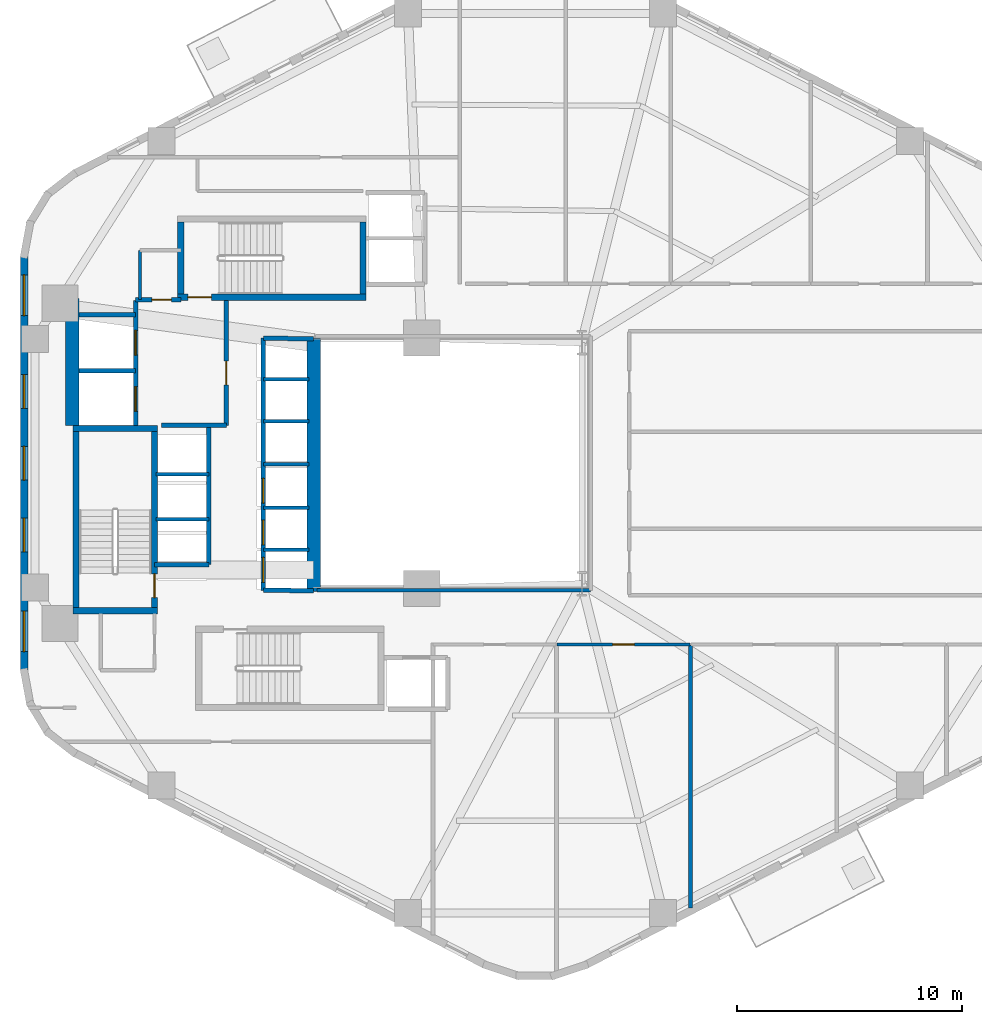
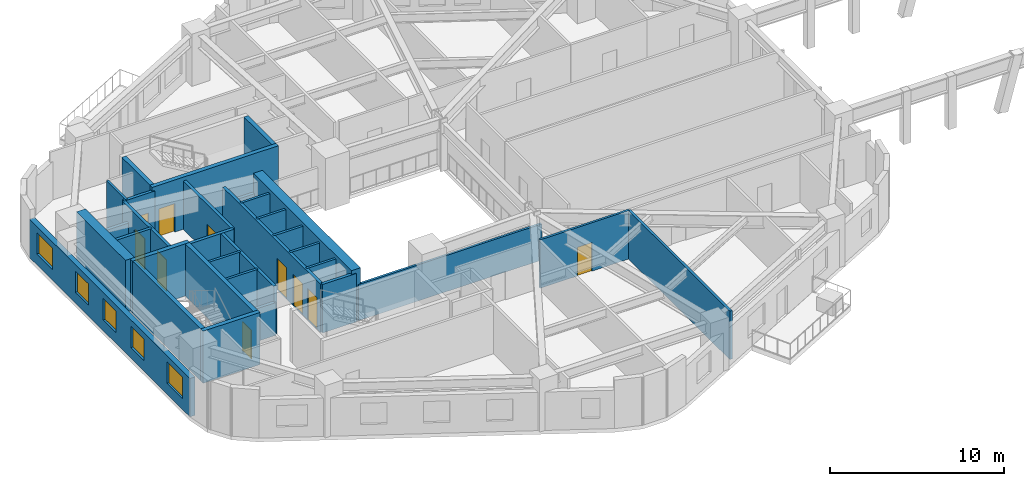
# One storey, part 3 of 8: 32 walls, 10 doors, 5 windows, 15 openings.
"""IFC4 building model written with IfcOpenShell, lengths in metres."""

import ifcopenshell
import ifcopenshell.guid

model = None  # the IFC model being written
_history = None  # IfcOwnerHistory: only IFC2X3 demands one
_inside = {}  # id of a spatial element -> (the spatial element, [elements in it])
_under = {}  # id of a project, library or spatial element -> (it, [spatial elements below it])
_declared = {}  # id of a project -> (the project, [libraries it declares])
_typed = {}  # id of a type object -> (the type object, [elements of that type])
_made_of = {}  # id of a material, layer set ... -> (it, [elements and type objects made of it])


def new_model(schema):
    """Start an empty IFC model of exactly this schema.

    Asked for "IFC4X3", IfcOpenShell would pick the latest addendum, in which some entities
    have other attributes; the version numbers below select the first issue.
    IFC2X3 requires an IfcOwnerHistory on every rooted entity: one is made here for all.
    """
    global model, _history
    if schema == "IFC4X3":
        model = ifcopenshell.file(schema_version=(4, 3, 0, 0))
    else:
        model = ifcopenshell.file(schema=schema)
    _inside.clear()
    _under.clear()
    _declared.clear()
    _typed.clear()
    _made_of.clear()
    _history = None
    if model.schema == "IFC2X3":
        org = make("IfcOrganization", Name="unknown")
        user = make(
            "IfcPersonAndOrganization",
            ThePerson=make("IfcPerson", FamilyName="unknown"),
            TheOrganization=org,
        )
        app = make(
            "IfcApplication",
            ApplicationDeveloper=org,
            Version="unknown",
            ApplicationFullName="unknown",
            ApplicationIdentifier="unknown",
        )
        _history = make(
            "IfcOwnerHistory",
            OwningUser=user,
            OwningApplication=app,
            ChangeAction="ADDED",
            CreationDate=0,
        )
    return model


def make(cls, **values):
    """One entity of the class cls with the attributes given. An attribute that is None is left unset."""
    return model.create_entity(
        cls, **{name: value for name, value in values.items() if value is not None}
    )


def rooted(cls, **values):
    """An entity with a GlobalId (a new one), such as an element, a storey or a relation."""
    return make(cls, GlobalId=ifcopenshell.guid.new(), OwnerHistory=_history, **values)


def si_unit(unit_type, name, prefix=None):
    """IfcSIUnit, for example si_unit("LENGTHUNIT", "METRE", prefix="MILLI")."""
    return make("IfcSIUnit", UnitType=unit_type, Prefix=prefix, Name=name)


def assignment(units):
    """IfcUnitAssignment: the units of a project."""
    return None if units is None else make("IfcUnitAssignment", Units=units)


def point(xyz):
    """IfcCartesianPoint."""
    return None if xyz is None else make("IfcCartesianPoint", Coordinates=xyz)


def direction(xyz):
    """IfcDirection."""
    return None if xyz is None else make("IfcDirection", DirectionRatios=xyz)


def frame(location, z_axis=None, x_axis=None):
    """IfcAxis2Placement3D, a coordinate frame: its origin and axes. An axis left out is left unset."""
    return make(
        "IfcAxis2Placement3D",
        Location=point(location),
        Axis=direction(z_axis),
        RefDirection=direction(x_axis),
    )


def frame_2d(location, x_axis=None):
    """IfcAxis2Placement2D, a coordinate frame in the plane: its origin and x axis."""
    return make(
        "IfcAxis2Placement2D", Location=point(location), RefDirection=direction(x_axis)
    )


def origin():
    """The frame at (0, 0, 0) with its axes left unset."""
    return frame((0.0, 0.0, 0.0))


def place(relative_to, where):
    """IfcLocalPlacement: puts the frame where relative to a parent placement (None: the world)."""
    return make(
        "IfcLocalPlacement", PlacementRelTo=relative_to, RelativePlacement=where
    )


def context(
    kind, dimensions, precision=None, world=None, true_north=None, identifier=None
):
    """IfcGeometricRepresentationContext, for example the 3D "Model" context."""
    return make(
        "IfcGeometricRepresentationContext",
        ContextIdentifier=identifier,
        ContextType=kind,
        CoordinateSpaceDimension=dimensions,
        Precision=precision,
        WorldCoordinateSystem=world,
        TrueNorth=true_north,
    )


def subcontext(parent, identifier, kind, view, scale=None):
    """IfcGeometricRepresentationSubContext, for example "Body" below "Model"."""
    return make(
        "IfcGeometricRepresentationSubContext",
        ContextIdentifier=identifier,
        ContextType=kind,
        ParentContext=parent,
        TargetScale=scale,
        TargetView=view,
    )


def project(units=None, contexts=None):
    """IfcProject with its units and contexts."""
    return rooted(
        "IfcProject",
        Name="project",
        RepresentationContexts=contexts,
        UnitsInContext=assignment(units),
    )


def spatial(cls, under=None, at=None, **own):
    """A site, building, storey or space (cls), placed at a placement, below another one or the project."""
    s = rooted(cls, ObjectPlacement=at, **own)
    if under is not None:
        _under.setdefault(under.id(), (under, []))[1].append(s)
    return s


def profile(cls, at=None, kind="AREA", **sizes):
    """A parametric profile (cls). Its sizes go by their IFC names, for example OverallWidth=200.0."""
    return make(cls, ProfileType=kind, Position=at, **sizes)


def rectangle(**sizes):
    """IfcRectangleProfileDef."""
    return profile("IfcRectangleProfileDef", **sizes)


def extrude(swept, where, along, depth):
    """IfcExtrudedAreaSolid: the profile swept, set in the frame where, extruded along a direction by depth."""
    return make(
        "IfcExtrudedAreaSolid",
        SweptArea=swept,
        Position=where,
        ExtrudedDirection=direction(along),
        Depth=depth,
    )


def shape(context_of_items, identifier, shape_type, items):
    """IfcShapeRepresentation: the items that make up one representation, for example the "Body"."""
    return make(
        "IfcShapeRepresentation",
        ContextOfItems=context_of_items,
        RepresentationIdentifier=identifier,
        RepresentationType=shape_type,
        Items=items,
    )


def material(Name=None, Category=None):
    """IfcMaterial."""
    return make("IfcMaterial", Name=Name, Category=Category)


def layer(
    of_material, thickness, ventilated=None, Name=None, Category=None, Priority=None
):
    """IfcMaterialLayer: one layer of a wall or slab, of a material (None: an air gap)."""
    return make(
        "IfcMaterialLayer",
        Material=of_material,
        LayerThickness=thickness,
        IsVentilated=ventilated,
        Name=Name,
        Category=Category,
        Priority=Priority,
    )


def layer_set(layers, Name=None):
    """IfcMaterialLayerSet."""
    return make("IfcMaterialLayerSet", MaterialLayers=layers, LayerSetName=Name)


def made_of(thing, what):
    """Note that an element or type object is made of a material, layer set ...; save() writes the relation."""
    if what is not None:
        _made_of.setdefault(what.id(), (what, []))[1].append(thing)
    return thing


def type_object(cls, material=None, **own):
    """A type object (cls), such as IfcWallType, which elements share."""
    return made_of(rooted(cls, **own), material)


def element(
    cls,
    number,
    at=None,
    inside=None,
    cuts=None,
    type_object=None,
    material=None,
    context=None,
    identifier="Body",
    shape_type=None,
    held_by="IfcProductDefinitionShape",
    body=None,
    shapes=None,
    **own,
):
    """One element of the class cls, such as IfcWall. Its Tag is "e" and its number.

    at: its placement. inside: the storey or other place that contains it. cuts: it is an
    opening in that element (IfcRelVoidsElement). A single representation is given by context,
    identifier, shape_type and body (its items); several are given by shapes. held_by: the class
    of the entity that holds the representations. save() writes the other relations.
    """
    e = rooted(cls, Tag="e%d" % number, ObjectPlacement=at, **own)
    if body is not None:
        shapes = [shape(context, identifier, shape_type, body)]
    if shapes is not None:
        e.Representation = make(held_by, Representations=shapes)
    if inside is not None:
        _inside.setdefault(inside.id(), (inside, []))[1].append(e)
    if cuts is not None:
        rooted(
            "IfcRelVoidsElement", RelatingBuildingElement=cuts, RelatedOpeningElement=e
        )
    if type_object is not None:
        _typed.setdefault(type_object.id(), (type_object, []))[1].append(e)
    return made_of(e, material)


def fill(opening, filler):
    """IfcRelFillsElement: the door or window that sits in an opening."""
    return rooted(
        "IfcRelFillsElement",
        RelatingOpeningElement=opening,
        RelatedBuildingElement=filler,
    )


def aggregate(whole, parts):
    """IfcRelAggregates: a whole, such as a stair, and the parts it consists of."""
    return rooted("IfcRelAggregates", RelatingObject=whole, RelatedObjects=parts)


def save(model, path):
    """Write the relations noted so far, then the file.

    IfcRelAggregates (storeys below a building ...), IfcRelContainedInSpatialStructure (elements
    in a storey), IfcRelDefinesByType, IfcRelAssociatesMaterial and IfcRelDeclares: one each for
    every whole, place, type object, material and project.
    """
    for whole, parts in _under.values():
        aggregate(whole, parts)
    for where, things in _inside.values():
        rooted(
            "IfcRelContainedInSpatialStructure",
            RelatedElements=things,
            RelatingStructure=where,
        )
    for kind, things in _typed.values():
        rooted("IfcRelDefinesByType", RelatedObjects=things, RelatingType=kind)
    for what, things in _made_of.values():
        rooted("IfcRelAssociatesMaterial", RelatedObjects=things, RelatingMaterial=what)
    for by, libraries in _declared.values():
        rooted("IfcRelDeclares", RelatingContext=by, RelatedDefinitions=libraries)
    model.write(path)


model = new_model("IFC4")

# Units and contexts
model_context = context("Model", 3, precision=1e-05, world=origin(), true_north=direction((0.0, 1.0)))
body_context = subcontext(model_context, "Body", "Model", "MODEL_VIEW")
ifc_project = project(units=[si_unit("LENGTHUNIT", "METRE"), si_unit("AREAUNIT", "SQUARE_METRE"), si_unit("VOLUMEUNIT", "CUBIC_METRE"), si_unit("PLANEANGLEUNIT", "RADIAN"), si_unit("MASSUNIT", "GRAM", prefix="KILO"), si_unit("THERMODYNAMICTEMPERATUREUNIT", "KELVIN"), si_unit("POWERUNIT", "WATT")], contexts=[model_context])

# Site, building, storey
site_placement = place(None, origin())
site = spatial("IfcSite", under=ifc_project, at=site_placement, CompositionType="ELEMENT")
building_placement = place(site_placement, origin())
building = spatial("IfcBuilding", under=site, at=building_placement, Name="Skarre Station Tower", CompositionType="ELEMENT")
storey_placement = place(building_placement, frame((0.0, 0.0, 45.25)))
storey = spatial("IfcBuildingStorey", under=building, at=storey_placement, Name="L11", CompositionType="ELEMENT", Elevation=45.25)

# Walls
ifc_material_1 = material(Name="Acoustic Steel-Stud Gypsum Partition", Category="steel")
ifc_layer_1 = layer(ifc_material_1, 0.14990234375, Name="Acoustic Steel-Stud Gypsum Partition")
ifc_layer_set_1 = layer_set([ifc_layer_1], Name="Acoustic Steel-Stud Gypsum Partition")
wall_type_1 = type_object("IfcWallType", Name="Fire-Rated Corridor Acoustic Partition 150", PredefinedType="PARTITIONING", material=ifc_layer_set_1)
wall_1_placement = place(storey_placement, frame((19.85009765625, 33.449951171875, 0.0), z_axis=(0.0, 0.0, 1.0), x_axis=(0.0, -1.0, 0.0)))
element("IfcWall", 1, at=wall_1_placement, inside=storey, type_object=wall_type_1, Name="L11 Interior Partition WL-PT-L11-CNW-W", PredefinedType="PARTITIONING", context=body_context, shape_type="SweptSolid", body=[
    extrude(rectangle(XDim=2.18994140625, YDim=0.14990234375, at=frame_2d((1.094970703125, 0.0))), origin(), (0.0, 0.0, 1.0), 3.389892578125),
])
wall_2_placement = place(storey_placement, frame((27.699951171875, 18.360107421875, 0.0), z_axis=(0.0, 0.0, 1.0), x_axis=(1.0, 0.0, 0.0)))
element("IfcWall", 2, at=wall_2_placement, inside=storey, type_object=wall_type_1, Name="L11 Interior Partition WL-PT-L11-ATRW-S", PredefinedType="PARTITIONING", context=body_context, shape_type="SweptSolid", body=[
    extrude(rectangle(XDim=12.14013671875, YDim=0.14990234375, at=frame_2d((6.070068359375, 0.0))), origin(), (0.0, 0.0, 1.0), 2.531005859375),
])

# Wall, opening, door
wall_3_placement = place(storey_placement, frame((38.346923828125, 15.9599609375, 0.0), z_axis=(0.0, 0.0, 1.0), x_axis=(1.0, 0.0, 0.0)))
wall_3 = element("IfcWall", 3, at=wall_3_placement, inside=storey, type_object=wall_type_1, Name="L11 Interior Partition WL-PT-L11-SW2-CW", PredefinedType="PARTITIONING", context=body_context, shape_type="SweptSolid", body=[
    extrude(rectangle(XDim=5.9130859375, YDim=0.14990234375, at=frame_2d((2.95654296875, 0.0))), origin(), (0.0, 0.0, 1.0), 3.389892578125),
])
opening_1_placement = place(wall_3_placement, frame((2.47705078125, 0.0, 0.0)))
opening_1 = element("IfcOpeningElement", 4, at=opening_1_placement, cuts=wall_3, Name="Opening DR-FD60", PredefinedType="OPENING", context=body_context, shape_type="SweptSolid", body=[
    extrude(rectangle(XDim=0.9599609375, YDim=2.0, at=frame_2d((0.47998046875, 1.0))), frame((0.0, 0.0849609375, 0.0), z_axis=(0.0, -1.0, 0.0), x_axis=(1.0, 0.0, 0.0)), (0.0, 0.0, 1.0), 0.169921875),
])
ifc_material_2 = material(Name="Nordic White-Oak Veneer Solid-Core Fire Leaf", Category="wood")
door_type_1 = type_object("IfcDoorType", Name="Corridor Suite Entry Fire Door FD60 960x2150", OperationType="SINGLE_SWING_LEFT", PredefinedType="DOOR", material=ifc_material_2)
door_1_placement = place(opening_1_placement, origin())
door_1 = element("IfcDoor", 5, at=door_1_placement, inside=storey, type_object=door_type_1, Name="L11 SW2 Entry Door", OperationType="SINGLE_SWING_LEFT", OverallHeight=2.0, OverallWidth=0.9599609375, PredefinedType="DOOR", context=body_context, shape_type="SweptSolid", body=[
    extrude(rectangle(XDim=0.9599609375, YDim=2.0, at=frame_2d((0.47998046875, 1.0))), frame((0.0, 0.02490234375, 0.0), z_axis=(0.0, -1.0, 0.0), x_axis=(1.0, 0.0, 0.0)), (0.0, 0.0, 1.0), 0.050048828125),
])
fill(opening_1, door_1)

# Wall, openings, windows
ifc_material_3 = material(Name="Precast concrete C45/55", Category="concrete")
ifc_layer_2 = layer(ifc_material_3, 0.340087890625, Name="Precast concrete C45/55")
ifc_layer_set_2 = layer_set([ifc_layer_2], Name="Precast concrete C45/55")
wall_type_2 = type_object("IfcWallType", Name="Nordic Honed Precast Facet Wall 340", PredefinedType="STANDARD", material=ifc_layer_set_2)
wall_4_placement = place(storey_placement, frame((14.70703125, 14.798095703125, 0.0), z_axis=(0.0, 0.0, 1.0), x_axis=(0.0, 1.0, 0.0)))
wall_4 = element("IfcWall", 6, at=wall_4_placement, inside=storey, type_object=wall_type_2, Name="L11 Facet 2 Nordic Precast Masonry Wall", PredefinedType="STANDARD", context=body_context, shape_type="SweptSolid", body=[
    extrude(rectangle(XDim=18.40380859375, YDim=0.340087890625, at=frame_2d((9.201904296875, 0.0))), origin(), (0.0, 0.0, 1.0), 2.68408203125),
])
opening_2_placement = place(wall_4_placement, frame((0.844970703125, 0.0, 0.75)))
opening_2 = element("IfcOpeningElement", 7, at=opening_2_placement, cuts=wall_4, Name="Opening WN-Z1A", PredefinedType="OPENING", context=body_context, shape_type="SweptSolid", body=[
    extrude(rectangle(XDim=1.800048828125, YDim=1.5, at=frame_2d((0.89990234375, 0.75))), frame((0.0, 0.179931640625, 0.0), z_axis=(0.0, -1.0, 0.0), x_axis=(1.0, 0.0, 0.0)), (0.0, 0.0, 1.0), 0.360107421875),
])
opening_3_placement = place(wall_4_placement, frame((5.264892578125, 0.0, 0.75)))
opening_3 = element("IfcOpeningElement", 8, at=opening_3_placement, cuts=wall_4, Name="Opening WN-Z1B", PredefinedType="OPENING", context=body_context, shape_type="SweptSolid", body=[
    extrude(rectangle(XDim=1.5, YDim=1.5, at=frame_2d((0.75, 0.75))), frame((0.0, 0.179931640625, 0.0), z_axis=(0.0, -1.0, 0.0), x_axis=(1.0, 0.0, 0.0)), (0.0, 0.0, 1.0), 0.360107421875),
])
opening_4_placement = place(wall_4_placement, frame((8.451904296875, 0.0, 0.75)))
opening_4 = element("IfcOpeningElement", 9, at=opening_4_placement, cuts=wall_4, Name="Opening WN-Z1B", PredefinedType="OPENING", context=body_context, shape_type="SweptSolid", body=[
    extrude(rectangle(XDim=1.5, YDim=1.5, at=frame_2d((0.75, 0.75))), frame((0.0, 0.179931640625, 0.0), z_axis=(0.0, -1.0, 0.0), x_axis=(1.0, 0.0, 0.0)), (0.0, 0.0, 1.0), 0.360107421875),
])
opening_5_placement = place(wall_4_placement, frame((11.638916015625, 0.0, 0.75)))
opening_5 = element("IfcOpeningElement", 10, at=opening_5_placement, cuts=wall_4, Name="Opening WN-Z1B", PredefinedType="OPENING", context=body_context, shape_type="SweptSolid", body=[
    extrude(rectangle(XDim=1.5, YDim=1.5, at=frame_2d((0.75, 0.75))), frame((0.0, 0.179931640625, 0.0), z_axis=(0.0, -1.0, 0.0), x_axis=(1.0, 0.0, 0.0)), (0.0, 0.0, 1.0), 0.360107421875),
])
opening_6_placement = place(wall_4_placement, frame((15.758056640625, 0.0, 0.75)))
opening_6 = element("IfcOpeningElement", 11, at=opening_6_placement, cuts=wall_4, Name="Opening WN-Z1A", PredefinedType="OPENING", context=body_context, shape_type="SweptSolid", body=[
    extrude(rectangle(XDim=1.800048828125, YDim=1.5, at=frame_2d((0.89990234375, 0.75))), frame((0.0, 0.179931640625, 0.0), z_axis=(0.0, -1.0, 0.0), x_axis=(1.0, 0.0, 0.0)), (0.0, 0.0, 1.0), 0.360107421875),
])
ifc_material_4 = material(Name="Low-Iron Triple Glazing with Bronze Anodized Frame", Category="glass")
window_type_1 = type_object("IfcWindowType", Name="Nordic Punched Triple-Glazed Window 1500x1500", PartitioningType="SINGLE_PANEL", PredefinedType="WINDOW", material=ifc_material_4)
window_1_placement = place(opening_3_placement, origin())
window_1 = element("IfcWindow", 12, at=window_1_placement, inside=storey, type_object=window_type_1, Name="L11 Facade Window WL-FAC-L11-F2-2", OverallHeight=1.5, OverallWidth=1.5, PartitioningType="SINGLE_PANEL", PredefinedType="WINDOW", context=body_context, shape_type="SweptSolid", body=[
    extrude(rectangle(XDim=1.5, YDim=1.5, at=frame_2d((0.75, 0.75))), frame((0.0, 0.030029296875, 0.0), z_axis=(0.0, -1.0, 0.0), x_axis=(1.0, 0.0, 0.0)), (0.0, 0.0, 1.0), 0.06005859375),
])
fill(opening_3, window_1)
window_2_placement = place(opening_4_placement, origin())
window_2 = element("IfcWindow", 13, at=window_2_placement, inside=storey, type_object=window_type_1, Name="L11 Facade Window WL-FAC-L11-F2-3", OverallHeight=1.5, OverallWidth=1.5, PartitioningType="SINGLE_PANEL", PredefinedType="WINDOW", context=body_context, shape_type="SweptSolid", body=[
    extrude(rectangle(XDim=1.5, YDim=1.5, at=frame_2d((0.75, 0.75))), frame((0.0, 0.030029296875, 0.0), z_axis=(0.0, -1.0, 0.0), x_axis=(1.0, 0.0, 0.0)), (0.0, 0.0, 1.0), 0.06005859375),
])
fill(opening_4, window_2)
window_3_placement = place(opening_5_placement, origin())
window_3 = element("IfcWindow", 14, at=window_3_placement, inside=storey, type_object=window_type_1, Name="L11 Facade Window WL-FAC-L11-F2-4", OverallHeight=1.5, OverallWidth=1.5, PartitioningType="SINGLE_PANEL", PredefinedType="WINDOW", context=body_context, shape_type="SweptSolid", body=[
    extrude(rectangle(XDim=1.5, YDim=1.5, at=frame_2d((0.75, 0.75))), frame((0.0, 0.030029296875, 0.0), z_axis=(0.0, -1.0, 0.0), x_axis=(1.0, 0.0, 0.0)), (0.0, 0.0, 1.0), 0.06005859375),
])
fill(opening_5, window_3)
window_type_2 = type_object("IfcWindowType", Name="Nordic Punched Triple-Glazed Window 1800x1500", PartitioningType="SINGLE_PANEL", PredefinedType="WINDOW", material=ifc_material_4)
window_4_placement = place(opening_2_placement, origin())
window_4 = element("IfcWindow", 15, at=window_4_placement, inside=storey, type_object=window_type_2, Name="L11 Facade Window WL-FAC-L11-F2-1", OverallHeight=1.5, OverallWidth=1.800048828125, PartitioningType="SINGLE_PANEL", PredefinedType="WINDOW", context=body_context, shape_type="SweptSolid", body=[
    extrude(rectangle(XDim=1.800048828125, YDim=1.5, at=frame_2d((0.89990234375, 0.75))), frame((0.0, 0.030029296875, 0.0), z_axis=(0.0, -1.0, 0.0), x_axis=(1.0, 0.0, 0.0)), (0.0, 0.0, 1.0), 0.06005859375),
])
fill(opening_2, window_4)
window_5_placement = place(opening_6_placement, origin())
window_5 = element("IfcWindow", 16, at=window_5_placement, inside=storey, type_object=window_type_2, Name="L11 Facade Window WL-FAC-L11-F2-5", OverallHeight=1.5, OverallWidth=1.800048828125, PartitioningType="SINGLE_PANEL", PredefinedType="WINDOW", context=body_context, shape_type="SweptSolid", body=[
    extrude(rectangle(XDim=1.800048828125, YDim=1.5, at=frame_2d((0.89990234375, 0.75))), frame((0.0, 0.030029296875, 0.0), z_axis=(0.0, -1.0, 0.0), x_axis=(1.0, 0.0, 0.0)), (0.0, 0.0, 1.0), 0.06005859375),
])
fill(opening_6, window_5)

# Walls
ifc_material_5 = material(Name="Concrete C50/60", Category="concrete")
ifc_layer_3 = layer(ifc_material_5, 0.280029296875, Name="Concrete C50/60")
ifc_layer_set_3 = layer_set([ifc_layer_3], Name="Concrete C50/60")
wall_type_3 = type_object("IfcWallType", Name="RC Core Shear Wall 280", PredefinedType="SHEAR", material=ifc_layer_set_3)
for number, where, z_axis, x_axis, name in (
    (17, (16.8701171875, 17.4599609375, 0.0), (0.0, 0.0, 1.0), (1.0, 0.0, 0.0), "L11 Stair ST-1 South Shear Wall"),
    (18, (20.6298828125, 25.5400390625, 0.0), (0.0, 0.0, 1.0), (-1.0, 0.0, 0.0), "L11 Stair ST-1 North Shear Wall"),
):
    element("IfcWall", number, at=place(storey_placement, frame(where, z_axis=z_axis, x_axis=x_axis)), inside=storey, type_object=wall_type_3, Name=name, PredefinedType="SHEAR", context=body_context, shape_type="SweptSolid", body=[
        extrude(rectangle(XDim=3.759765625, YDim=0.280029296875, at=frame_2d((1.8798828125, 0.0))), origin(), (0.0, 0.0, 1.0), 3.64990234375),
    ])
wall_5_placement = place(storey_placement, frame((17.010009765625, 25.39990234375, 0.0), z_axis=(0.0, 0.0, 1.0), x_axis=(0.0, -1.0, 0.0)))
element("IfcWall", 19, at=wall_5_placement, inside=storey, type_object=wall_type_3, Name="L11 Stair ST-1 West Shear Wall", PredefinedType="SHEAR", context=body_context, shape_type="SweptSolid", body=[
    extrude(rectangle(XDim=7.7998046875, YDim=0.280029296875, at=frame_2d((3.89990234375, 0.0))), origin(), (0.0, 0.0, 1.0), 3.64990234375),
])

# Wall, opening, door
wall_6_placement = place(storey_placement, frame((20.489990234375, 17.60009765625, 0.0), z_axis=(0.0, 0.0, 1.0), x_axis=(0.0, 1.0, 0.0)))
wall_6 = element("IfcWall", 20, at=wall_6_placement, inside=storey, type_object=wall_type_3, Name="L11 Stair ST-1 East Shear Wall", PredefinedType="SHEAR", context=body_context, shape_type="SweptSolid", body=[
    extrude(rectangle(XDim=7.7998046875, YDim=0.280029296875, at=frame_2d((3.89990234375, 0.0))), origin(), (0.0, 0.0, 1.0), 3.64990234375),
])
opening_7_placement = place(wall_6_placement, frame((0.43994140625, 0.0, 0.0)))
opening_7 = element("IfcOpeningElement", 21, at=opening_7_placement, cuts=wall_6, Name="Opening DR-FD90", PredefinedType="OPENING", context=body_context, shape_type="SweptSolid", body=[
    extrude(rectangle(XDim=1.050048828125, YDim=2.0, at=frame_2d((0.52490234375, 1.0))), frame((0.0, 0.14990234375, 0.0), z_axis=(0.0, -1.0, 0.0), x_axis=(1.0, 0.0, 0.0)), (0.0, 0.0, 1.0), 0.300048828125),
])
ifc_material_6 = material(Name="Fire-Rated Insulated Steel Frame & Timber Core Leaf", Category="steel")
door_type_2 = type_object("IfcDoorType", Name="Stair & FSAE Lobby Fire Door FD90 1050x2150", OperationType="SINGLE_SWING_RIGHT", PredefinedType="DOOR", material=ifc_material_6)
door_2_placement = place(opening_7_placement, origin())
door_2 = element("IfcDoor", 22, at=door_2_placement, inside=storey, type_object=door_type_2, Name="L11 Stair ST-1 Exit Door", OperationType="SINGLE_SWING_RIGHT", OverallHeight=2.0, OverallWidth=1.050048828125, PredefinedType="DOOR", context=body_context, shape_type="SweptSolid", body=[
    extrude(rectangle(XDim=1.050048828125, YDim=2.0, at=frame_2d((0.52490234375, 1.0))), frame((0.0, 0.02490234375, 0.0), z_axis=(0.0, -1.0, 0.0), x_axis=(1.0, 0.0, 0.0)), (0.0, 0.0, 1.0), 0.050048828125),
])
fill(opening_7, door_2)

wall_7_placement = place(storey_placement, frame((21.52001953125, 31.360107421875, 0.0), z_axis=(0.0, 0.0, 1.0), x_axis=(1.0, 0.0, 0.0)))
wall_7 = element("IfcWall", 23, at=wall_7_placement, inside=storey, type_object=wall_type_3, Name="L11 Stair ST-3 South Shear Wall", PredefinedType="SHEAR", context=body_context, shape_type="SweptSolid", body=[
    extrude(rectangle(XDim=8.35986328125, YDim=0.280029296875, at=frame_2d((4.179931640625, 0.0))), origin(), (0.0, 0.0, 1.0), 3.64990234375),
])
opening_8_placement = place(wall_7_placement, frame((0.449951171875, 0.0, 0.0)))
opening_8 = element("IfcOpeningElement", 24, at=opening_8_placement, cuts=wall_7, Name="Opening DR-FD90", PredefinedType="OPENING", context=body_context, shape_type="SweptSolid", body=[
    extrude(rectangle(XDim=1.050048828125, YDim=2.0, at=frame_2d((0.52490234375, 1.0))), frame((0.0, 0.14990234375, 0.0), z_axis=(0.0, -1.0, 0.0), x_axis=(1.0, 0.0, 0.0)), (0.0, 0.0, 1.0), 0.300048828125),
])
door_3_placement = place(opening_8_placement, origin())
door_3 = element("IfcDoor", 25, at=door_3_placement, inside=storey, type_object=door_type_2, Name="L11 Stair ST-3 & FSAE Lobby Direct Exit Door", OperationType="SINGLE_SWING_LEFT", OverallHeight=2.0, OverallWidth=1.050048828125, PredefinedType="DOOR", context=body_context, shape_type="SweptSolid", body=[
    extrude(rectangle(XDim=1.050048828125, YDim=2.0, at=frame_2d((0.52490234375, 1.0))), frame((0.0, 0.02490234375, 0.0), z_axis=(0.0, -1.0, 0.0), x_axis=(1.0, 0.0, 0.0)), (0.0, 0.0, 1.0), 0.050048828125),
])
fill(opening_8, door_3)

# Walls
for number, where, z_axis, x_axis, name in (
    (26, (21.659912109375, 34.699951171875, 0.0), (0.0, 0.0, 1.0), (0.0, -1.0, 0.0), "L11 Stair ST-3 West Shear Wall"),
    (27, (29.739990234375, 31.5, 0.0), (0.0, 0.0, 1.0), (0.0, 1.0, 0.0), "L11 Stair ST-3 East Shear Wall"),
):
    element("IfcWall", number, at=place(storey_placement, frame(where, z_axis=z_axis, x_axis=x_axis)), inside=storey, type_object=wall_type_3, Name=name, PredefinedType="SHEAR", context=body_context, shape_type="SweptSolid", body=[
        extrude(rectangle(XDim=3.199951171875, YDim=0.280029296875, at=frame_2d((1.60009765625, 0.0))), origin(), (0.0, 0.0, 1.0), 3.64990234375),
    ])
ifc_material_7 = material(Name="Concrete C70/85", Category="concrete")
ifc_layer_4 = layer(ifc_material_7, 0.60009765625, Name="Concrete C70/85")
ifc_layer_set_4 = layer_set([ifc_layer_4], Name="Concrete C70/85")
wall_type_4 = type_object("IfcWallType", Name="RC Core Shear Wall 600", PredefinedType="SHEAR", material=ifc_layer_set_4)
wall_8_placement = place(storey_placement, frame((16.85009765625, 25.679931640625, 0.0), z_axis=(0.0, 0.0, 1.0), x_axis=(0.0, 1.0, 0.0)))
element("IfcWall", 28, at=wall_8_placement, inside=storey, type_object=wall_type_4, Name="L11 Core West-North Shear Wall", PredefinedType="SHEAR", context=body_context, shape_type="SweptSolid", body=[
    extrude(rectangle(XDim=5.6201171875, YDim=0.60009765625, at=frame_2d((2.81005859375, 0.0))), origin(), (0.0, 0.0, 1.0), 3.64990234375),
])
wall_9_placement = place(storey_placement, frame((27.550048828125, 29.550048828125, 0.0), z_axis=(0.0, 0.0, 1.0), x_axis=(0.0, -1.0, 0.0)))
element("IfcWall", 29, at=wall_9_placement, inside=storey, type_object=wall_type_4, Name="L11 Core East Atrium Shear Wall", PredefinedType="SHEAR", context=body_context, shape_type="SweptSolid", body=[
    extrude(rectangle(XDim=11.25, YDim=0.60009765625, at=frame_2d((5.625, 0.0))), origin(), (0.0, 0.0, 1.0), 3.64990234375),
])

# Wall, openings, doors
ifc_material_8 = material(Name="Gypsum Concrete Shaft Assembly C30/37", Category="concrete")
ifc_layer_5 = layer(ifc_material_8, 0.199951171875, Name="Gypsum Concrete Shaft Assembly C30/37")
ifc_layer_set_5 = layer_set([ifc_layer_5], Name="Gypsum Concrete Shaft Assembly C30/37")
wall_type_5 = type_object("IfcWallType", Name="Shaft & Core Fire Partition 200", PredefinedType="PARTITIONING", material=ifc_layer_set_5)
wall_10_placement = place(storey_placement, frame((19.64990234375, 25.679931640625, 0.0), z_axis=(0.0, 0.0, 1.0), x_axis=(0.0, 1.0, 0.0)))
wall_10 = element("IfcWall", 30, at=wall_10_placement, inside=storey, type_object=wall_type_5, Name="L11 Interior Partition WL-PT-L11-FSAE-W", PredefinedType="PARTITIONING", context=body_context, shape_type="SweptSolid", body=[
    extrude(rectangle(XDim=5.5400390625, YDim=0.199951171875, at=frame_2d((2.77001953125, 0.0))), origin(), (0.0, 0.0, 1.0), 3.389892578125),
])
opening_9_placement = place(wall_10_placement, frame((0.6201171875, 0.0, 0.0)))
opening_9 = element("IfcOpeningElement", 31, at=opening_9_placement, cuts=wall_10, Name="Opening LD-FF1", PredefinedType="OPENING", context=body_context, shape_type="SweptSolid", body=[
    extrude(rectangle(XDim=1.10009765625, YDim=2.199951171875, at=frame_2d((0.550048828125, 1.10009765625))), frame((0.0, 0.10986328125, 0.0), z_axis=(0.0, -1.0, 0.0), x_axis=(1.0, 0.0, 0.0)), (0.0, 0.0, 1.0), 0.219970703125),
])
opening_10_placement = place(wall_10_placement, frame((3.1201171875, 0.0, 0.0)))
opening_10 = element("IfcOpeningElement", 32, at=opening_10_placement, cuts=wall_10, Name="Opening LD-FF2", PredefinedType="OPENING", context=body_context, shape_type="SweptSolid", body=[
    extrude(rectangle(XDim=1.10009765625, YDim=2.199951171875, at=frame_2d((0.550048828125, 1.10009765625))), frame((0.0, 0.10986328125, 0.0), z_axis=(0.0, -1.0, 0.0), x_axis=(1.0, 0.0, 0.0)), (0.0, 0.0, 1.0), 0.219970703125),
])
ifc_material_9 = material(Name="Fire-Rated Stainless Steel Grade 316L Sliding Leaves", Category="steel")
door_type_3 = type_object("IfcDoorType", Name="Fire Service Access Elevator Sliding Landing Door 1100x2200", OperationType="SLIDING_TO_LEFT", PredefinedType="DOOR", material=ifc_material_9)
door_4_placement = place(opening_9_placement, origin())
door_4 = element("IfcDoor", 33, at=door_4_placement, inside=storey, type_object=door_type_3, Name="L11 Firefighting Lift LF-FF1 Landing Door", OperationType="SLIDING_TO_LEFT", OverallHeight=2.199951171875, OverallWidth=1.10009765625, PredefinedType="DOOR", context=body_context, shape_type="SweptSolid", body=[
    extrude(rectangle(XDim=1.10009765625, YDim=2.199951171875, at=frame_2d((0.550048828125, 1.10009765625))), frame((0.0, 0.02490234375, 0.0), z_axis=(0.0, -1.0, 0.0), x_axis=(1.0, 0.0, 0.0)), (0.0, 0.0, 1.0), 0.050048828125),
])
fill(opening_9, door_4)
door_5_placement = place(opening_10_placement, origin())
door_5 = element("IfcDoor", 34, at=door_5_placement, inside=storey, type_object=door_type_3, Name="L11 Firefighting Lift LF-FF2 Landing Door", OperationType="SLIDING_TO_LEFT", OverallHeight=2.199951171875, OverallWidth=1.10009765625, PredefinedType="DOOR", context=body_context, shape_type="SweptSolid", body=[
    extrude(rectangle(XDim=1.10009765625, YDim=2.199951171875, at=frame_2d((0.550048828125, 1.10009765625))), frame((0.0, 0.02490234375, 0.0), z_axis=(0.0, -1.0, 0.0), x_axis=(1.0, 0.0, 0.0)), (0.0, 0.0, 1.0), 0.050048828125),
])
fill(opening_10, door_5)

# Wall
wall_11_placement = place(storey_placement, frame((20.79296875, 25.679931640625, 0.0), z_axis=(0.0, 0.0, 1.0), x_axis=(1.0, 0.0, 0.0)))
element("IfcWall", 35, at=wall_11_placement, inside=storey, type_object=wall_type_5, Name="L11 Interior Partition WL-PT-L11-FSAE-S", PredefinedType="PARTITIONING", context=body_context, shape_type="SweptSolid", body=[
    extrude(rectangle(XDim=2.886962890625, YDim=0.199951171875, at=frame_2d((1.443359375, 0.0))), origin(), (0.0, 0.0, 1.0), 3.389892578125),
])

# Wall, opening, door
wall_12_placement = place(storey_placement, frame((23.679931640625, 25.679931640625, 0.0), z_axis=(0.0, 0.0, 1.0), x_axis=(0.0, 1.0, 0.0)))
wall_12 = element("IfcWall", 36, at=wall_12_placement, inside=storey, type_object=wall_type_5, Name="L11 Interior Partition WL-PT-L11-FSAE-E", PredefinedType="PARTITIONING", context=body_context, shape_type="SweptSolid", body=[
    extrude(rectangle(XDim=5.5400390625, YDim=0.199951171875, at=frame_2d((2.77001953125, 0.0))), origin(), (0.0, 0.0, 1.0), 3.389892578125),
])
opening_11_placement = place(wall_12_placement, frame((1.800048828125, 0.0, 0.0)))
opening_11 = element("IfcOpeningElement", 37, at=opening_11_placement, cuts=wall_12, Name="Opening DR-FD90", PredefinedType="OPENING", context=body_context, shape_type="SweptSolid", body=[
    extrude(rectangle(XDim=1.050048828125, YDim=2.0, at=frame_2d((0.52490234375, 1.0))), frame((0.0, 0.10986328125, 0.0), z_axis=(0.0, -1.0, 0.0), x_axis=(1.0, 0.0, 0.0)), (0.0, 0.0, 1.0), 0.219970703125),
])
door_6_placement = place(opening_11_placement, origin())
door_6 = element("IfcDoor", 38, at=door_6_placement, inside=storey, type_object=door_type_2, Name="L11 FSAE Lobby Fire Door", OperationType="SINGLE_SWING_RIGHT", OverallHeight=2.0, OverallWidth=1.050048828125, PredefinedType="DOOR", context=body_context, shape_type="SweptSolid", body=[
    extrude(rectangle(XDim=1.050048828125, YDim=2.0, at=frame_2d((0.52490234375, 1.0))), frame((0.0, 0.02490234375, 0.0), z_axis=(0.0, -1.0, 0.0), x_axis=(1.0, 0.0, 0.0)), (0.0, 0.0, 1.0), 0.050048828125),
])
fill(opening_11, door_6)

wall_13_placement = place(storey_placement, frame((21.659912109375, 31.260009765625, 0.0), z_axis=(0.0, 0.0, 1.0), x_axis=(-1.0, 0.0, 0.0)))
wall_13 = element("IfcWall", 39, at=wall_13_placement, inside=storey, type_object=wall_type_5, Name="L11 Interior Partition WL-PT-L11-FSAE-N", PredefinedType="PARTITIONING", context=body_context, shape_type="SweptSolid", body=[
    extrude(rectangle(XDim=2.010009765625, YDim=0.199951171875, at=frame_2d((1.0048828125, 0.0))), origin(), (0.0, 0.0, 1.0), 3.389892578125),
])
opening_12_placement = place(wall_13_placement, frame((0.419921875, 0.0, 0.0)))
opening_12 = element("IfcOpeningElement", 40, at=opening_12_placement, cuts=wall_13, Name="Opening DR-SVC86", PredefinedType="OPENING", context=body_context, shape_type="SweptSolid", body=[
    extrude(rectangle(XDim=0.860107421875, YDim=2.0, at=frame_2d((0.43017578125, 1.0))), frame((0.0, 0.10986328125, 0.0), z_axis=(0.0, -1.0, 0.0), x_axis=(1.0, 0.0, 0.0)), (0.0, 0.0, 1.0), 0.219970703125),
])
ifc_material_10 = material(Name="Powder-Coated Hollow-Metal Acoustic Fire Leaf", Category="steel")
door_type_4 = type_object("IfcDoorType", Name="Compact Riser Fire Door FD60 860x2100", OperationType="SINGLE_SWING_LEFT", PredefinedType="DOOR", material=ifc_material_10)
door_7_placement = place(opening_12_placement, origin())
door_7 = element("IfcDoor", 41, at=door_7_placement, inside=storey, type_object=door_type_4, Name="L11 Core Service Room Lobby Door", OperationType="SINGLE_SWING_LEFT", OverallHeight=2.0, OverallWidth=0.860107421875, PredefinedType="DOOR", context=body_context, shape_type="SweptSolid", body=[
    extrude(rectangle(XDim=0.860107421875, YDim=2.0, at=frame_2d((0.43017578125, 1.0))), frame((0.0, 0.02490234375, 0.0), z_axis=(0.0, -1.0, 0.0), x_axis=(1.0, 0.0, 0.0)), (0.0, 0.0, 1.0), 0.050048828125),
])
fill(opening_12, door_7)

# Walls
wall_14_placement = place(storey_placement, frame((17.14990234375, 28.10009765625, 0.0), z_axis=(0.0, 0.0, 1.0), x_axis=(1.0, 0.0, 0.0)))
element("IfcWall", 42, at=wall_14_placement, inside=storey, type_object=wall_type_5, Name="L11 Interior Partition WL-PT-L11-FF-DIV", PredefinedType="PARTITIONING", context=body_context, shape_type="SweptSolid", body=[
    extrude(rectangle(XDim=2.5, YDim=0.199951171875, at=frame_2d((1.25, 0.0))), origin(), (0.0, 0.0, 1.0), 3.389892578125),
])
wall_15_placement = place(storey_placement, frame((19.64990234375, 30.60009765625, 0.0), z_axis=(0.0, 0.0, 1.0), x_axis=(-1.0, 0.0, 0.0)))
element("IfcWall", 43, at=wall_15_placement, inside=storey, type_object=wall_type_5, Name="L11 Interior Partition WL-PT-L11-FF-N", PredefinedType="PARTITIONING", context=body_context, shape_type="SweptSolid", body=[
    extrude(rectangle(XDim=2.5, YDim=0.199951171875, at=frame_2d((1.25, 0.0))), origin(), (0.0, 0.0, 1.0), 2.2900390625),
])
wall_16_placement = place(storey_placement, frame((22.89990234375, 19.5, 0.0), z_axis=(0.0, 0.0, 1.0), x_axis=(0.0, 1.0, 0.0)))
element("IfcWall", 44, at=wall_16_placement, inside=storey, type_object=wall_type_5, Name="L11 Interior Partition WL-PT-L11-B3-E", PredefinedType="PARTITIONING", context=body_context, shape_type="SweptSolid", body=[
    extrude(rectangle(XDim=6.0849609375, YDim=0.199951171875, at=frame_2d((3.04248046875, 0.0))), origin(), (0.0, 0.0, 1.0), 3.389892578125),
])
wall_17_placement = place(storey_placement, frame((20.489990234375, 19.5, 0.0), z_axis=(0.0, 0.0, 1.0), x_axis=(1.0, 0.0, 0.0)))
element("IfcWall", 45, at=wall_17_placement, inside=storey, type_object=wall_type_5, Name="L11 Interior Partition WL-PT-L11-B3-S", PredefinedType="PARTITIONING", context=body_context, shape_type="SweptSolid", body=[
    extrude(rectangle(XDim=2.409912109375, YDim=0.199951171875, at=frame_2d((1.205078125, 0.0))), origin(), (0.0, 0.0, 1.0), 2.2900390625),
])
for number, where, z_axis, x_axis, name in (
    (46, (20.550048828125, 21.52001953125, 0.0), (0.0, 0.0, 1.0), (1.0, 0.0, 0.0), "L11 Interior Partition WL-PT-L11-B3-D1"),
    (47, (20.550048828125, 23.52001953125, 0.0), (0.0, 0.0, 1.0), (1.0, 0.0, 0.0), "L11 Interior Partition WL-PT-L11-B3-D2"),
):
    element("IfcWall", number, at=place(storey_placement, frame(where, z_axis=z_axis, x_axis=x_axis)), inside=storey, type_object=wall_type_5, Name=name, PredefinedType="PARTITIONING", context=body_context, shape_type="SweptSolid", body=[
        extrude(rectangle(XDim=2.349853515625, YDim=0.159912109375, at=frame_2d((1.1748046875, 0.0))), origin(), (0.0, 0.0, 1.0), 3.389892578125),
    ])

# Wall, openings, doors
wall_18_placement = place(storey_placement, frame((25.320068359375, 29.550048828125, 0.0), z_axis=(0.0, 0.0, 1.0), x_axis=(0.0, -1.0, 0.0)))
wall_18 = element("IfcWall", 48, at=wall_18_placement, inside=storey, type_object=wall_type_5, Name="L11 Interior Partition WL-PT-L11-B12-W", PredefinedType="PARTITIONING", context=body_context, shape_type="SweptSolid", body=[
    extrude(rectangle(XDim=11.18994140625, YDim=0.199951171875, at=frame_2d((5.594970703125, 0.0))), origin(), (0.0, 0.0, 1.0), 3.389892578125),
])
opening_13_placement = place(wall_18_placement, frame((6.219970703125, 0.0, 0.0)))
opening_13 = element("IfcOpeningElement", 49, at=opening_13_placement, cuts=wall_18, Name="Opening LD-P3", PredefinedType="OPENING", context=body_context, shape_type="SweptSolid", body=[
    extrude(rectangle(XDim=1.10009765625, YDim=2.199951171875, at=frame_2d((0.550048828125, 1.10009765625))), frame((0.0, 0.10986328125, 0.0), z_axis=(0.0, -1.0, 0.0), x_axis=(1.0, 0.0, 0.0)), (0.0, 0.0, 1.0), 0.219970703125),
])
opening_14_placement = place(wall_18_placement, frame((8.070068359375, 0.0, 0.0)))
opening_14 = element("IfcOpeningElement", 50, at=opening_14_placement, cuts=wall_18, Name="Opening LD-P2", PredefinedType="OPENING", context=body_context, shape_type="SweptSolid", body=[
    extrude(rectangle(XDim=1.10009765625, YDim=2.199951171875, at=frame_2d((0.550048828125, 1.10009765625))), frame((0.0, 0.10986328125, 0.0), z_axis=(0.0, -1.0, 0.0), x_axis=(1.0, 0.0, 0.0)), (0.0, 0.0, 1.0), 0.219970703125),
])
opening_15_placement = place(wall_18_placement, frame((9.72998046875, 0.0, 0.0)))
opening_15 = element("IfcOpeningElement", 51, at=opening_15_placement, cuts=wall_18, Name="Opening LD-P1", PredefinedType="OPENING", context=body_context, shape_type="SweptSolid", body=[
    extrude(rectangle(XDim=1.10009765625, YDim=2.199951171875, at=frame_2d((0.550048828125, 1.10009765625))), frame((0.0, 0.10986328125, 0.0), z_axis=(0.0, -1.0, 0.0), x_axis=(1.0, 0.0, 0.0)), (0.0, 0.0, 1.0), 0.219970703125),
])
ifc_material_11 = material(Name="Brushed Bronze Stainless Steel Sliding Leaves", Category="steel")
door_type_5 = type_object("IfcDoorType", Name="Passenger Elevator Center-Parting Sliding Door 1100x2200", OperationType="SLIDING_TO_LEFT", PredefinedType="DOOR", material=ifc_material_11)
door_8_placement = place(opening_13_placement, origin())
door_8 = element("IfcDoor", 52, at=door_8_placement, inside=storey, type_object=door_type_5, Name="L11 Passenger Lift LF-P3 Landing Door", OperationType="SLIDING_TO_LEFT", OverallHeight=2.199951171875, OverallWidth=1.10009765625, PredefinedType="DOOR", context=body_context, shape_type="SweptSolid", body=[
    extrude(rectangle(XDim=1.10009765625, YDim=2.199951171875, at=frame_2d((0.550048828125, 1.10009765625))), frame((0.0, 0.02490234375, 0.0), z_axis=(0.0, -1.0, 0.0), x_axis=(1.0, 0.0, 0.0)), (0.0, 0.0, 1.0), 0.050048828125),
])
fill(opening_13, door_8)
door_9_placement = place(opening_14_placement, origin())
door_9 = element("IfcDoor", 53, at=door_9_placement, inside=storey, type_object=door_type_5, Name="L11 Passenger Lift LF-P2 Landing Door", OperationType="SLIDING_TO_LEFT", OverallHeight=2.199951171875, OverallWidth=1.10009765625, PredefinedType="DOOR", context=body_context, shape_type="SweptSolid", body=[
    extrude(rectangle(XDim=1.10009765625, YDim=2.199951171875, at=frame_2d((0.550048828125, 1.10009765625))), frame((0.0, 0.02490234375, 0.0), z_axis=(0.0, -1.0, 0.0), x_axis=(1.0, 0.0, 0.0)), (0.0, 0.0, 1.0), 0.050048828125),
])
fill(opening_14, door_9)
door_10_placement = place(opening_15_placement, origin())
door_10 = element("IfcDoor", 54, at=door_10_placement, inside=storey, type_object=door_type_5, Name="L11 Passenger Lift LF-P1 Landing Door", OperationType="SLIDING_TO_LEFT", OverallHeight=2.199951171875, OverallWidth=1.10009765625, PredefinedType="DOOR", context=body_context, shape_type="SweptSolid", body=[
    extrude(rectangle(XDim=1.10009765625, YDim=2.199951171875, at=frame_2d((0.550048828125, 1.10009765625))), frame((0.0, 0.02490234375, 0.0), z_axis=(0.0, -1.0, 0.0), x_axis=(1.0, 0.0, 0.0)), (0.0, 0.0, 1.0), 0.050048828125),
])
fill(opening_15, door_10)

# Walls
wall_19_placement = place(storey_placement, frame((25.320068359375, 18.360107421875, 0.0), z_axis=(0.0, 0.0, 1.0), x_axis=(0.999989925833, -0.004488678231, 0.0)))
element("IfcWall", 55, at=wall_19_placement, inside=storey, type_object=wall_type_5, Name="L11 Interior Partition WL-PT-L11-B12-S", PredefinedType="PARTITIONING", context=body_context, shape_type="SweptSolid", body=[
    extrude(rectangle(XDim=2.22998046875, YDim=0.199951171875, at=frame_2d((1.114990234375, 0.0))), origin(), (0.0, 0.0, 1.0), 3.389892578125),
])
wall_20_placement = place(storey_placement, frame((27.550048828125, 29.52001953125, 0.0), z_axis=(0.0, 0.0, 1.0), x_axis=(-0.999909343457, 0.013464949556, 0.0)))
element("IfcWall", 56, at=wall_20_placement, inside=storey, type_object=wall_type_5, Name="L11 Interior Partition WL-PT-L11-B12-N", PredefinedType="PARTITIONING", context=body_context, shape_type="SweptSolid", body=[
    extrude(rectangle(XDim=2.230224609375, YDim=0.199951171875, at=frame_2d((1.115234375, 0.0))), origin(), (0.0, 0.0, 1.0), 2.2900390625),
])
for number, where, z_axis, x_axis, name in (
    (57, (25.320068359375, 20.169921875, 0.0), (0.0, 0.0, 1.0), (1.0, 0.0, 0.0), "L11 Interior Partition WL-PT-L11-B12-D201"),
    (58, (25.320068359375, 22.02001953125, 0.0), (0.0, 0.0, 1.0), (1.0, 0.0, 0.0), "L11 Interior Partition WL-PT-L11-B12-D220"),
    (59, (25.320068359375, 23.949951171875, 0.0), (0.0, 0.0, 1.0), (1.0, 0.0, 0.0), "L11 Interior Partition WL-PT-L11-B12-D239"),
    (60, (25.320068359375, 25.8701171875, 0.0), (0.0, 0.0, 1.0), (1.0, 0.0, 0.0), "L11 Interior Partition WL-PT-L11-B12-D258"),
    (61, (25.320068359375, 27.719970703125, 0.0), (0.0, 0.0, 1.0), (1.0, 0.0, 0.0), "L11 Interior Partition WL-PT-L11-B12-D277"),
):
    element("IfcWall", number, at=place(storey_placement, frame(where, z_axis=z_axis, x_axis=x_axis)), inside=storey, type_object=wall_type_5, Name=name, PredefinedType="PARTITIONING", context=body_context, shape_type="SweptSolid", body=[
        extrude(rectangle(XDim=2.030029296875, YDim=0.159912109375, at=frame_2d((1.01513671875, 0.0))), origin(), (0.0, 0.0, 1.0), 3.389892578125),
    ])
ifc_layer_6 = layer(ifc_material_1, 0.1650390625, Name="Acoustic Steel-Stud Gypsum Partition")
ifc_layer_set_6 = layer_set([ifc_layer_6], Name="Acoustic Steel-Stud Gypsum Partition")
wall_type_6 = type_object("IfcWallType", Name="Suite Demising Acoustic Partition 165", PredefinedType="PARTITIONING", material=ifc_layer_set_6)
wall_21_placement = place(storey_placement, frame((44.278076171875, 4.27587890625, 0.0), z_axis=(0.0, 0.0, 1.0), x_axis=(0.0, 1.0, 0.0)))
element("IfcWall", 62, at=wall_21_placement, inside=storey, type_object=wall_type_6, Name="L11 Interior Partition WL-PT-L11-SW-P2", PredefinedType="PARTITIONING", context=body_context, shape_type="SweptSolid", body=[
    extrude(rectangle(XDim=11.654052734375, YDim=0.1650390625, at=frame_2d((5.8271484375, 0.0))), origin(), (0.0, 0.0, 1.0), 3.389892578125),
])

save(model, "model.ifc")
